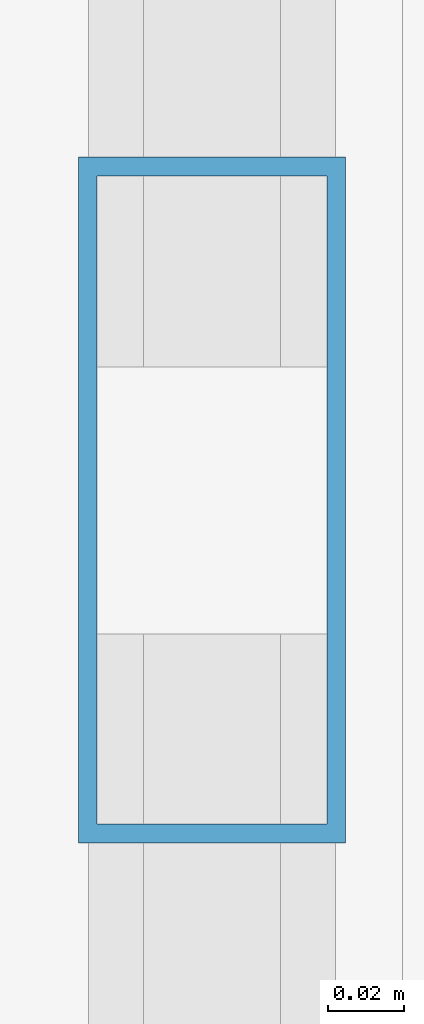
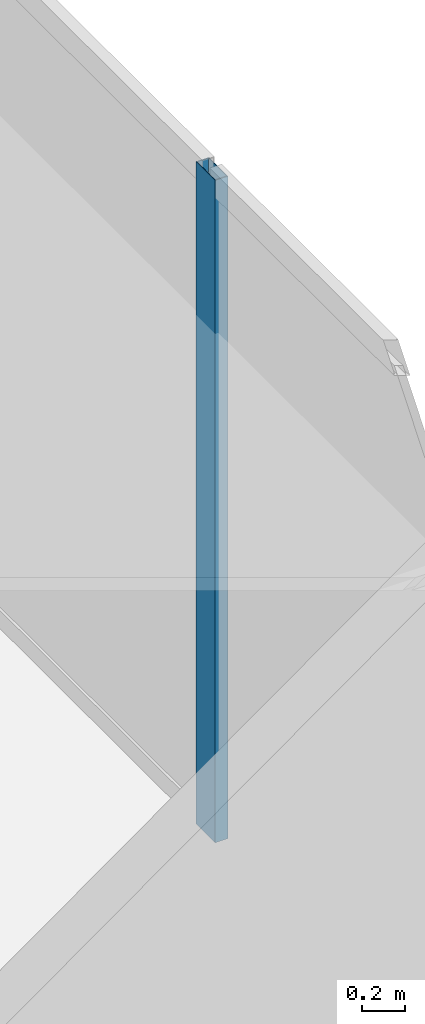
# One storey, part 24 of 36: 1 member, 1 element without a shape of its own.
"""IFC4 building model written with IfcOpenShell, lengths in metres."""

from ifc_helpers import new_model, si_unit, direction, frame, origin, origin_2d, place, context, subcontext, project, spatial, hollow_rectangle, extrude, source, transform, mapped, material, layer, layer_set, material_profile, profile_set, type_object, type_shapes, element, aggregate, save


model = new_model("IFC4")

# Units and contexts
model_context = context("Model", 3, precision=1e-05, world=origin(), true_north=direction((0.0, 1.0)))
body_context = subcontext(model_context, "Body", "Model", "MODEL_VIEW")
ifc_project = project(units=[si_unit("LENGTHUNIT", "METRE"), si_unit("AREAUNIT", "SQUARE_METRE"), si_unit("VOLUMEUNIT", "CUBIC_METRE"), si_unit("PLANEANGLEUNIT", "RADIAN"), si_unit("MASSUNIT", "GRAM", prefix="KILO")], contexts=[model_context])

# Site, building, storey
site_placement = place(None, origin())
site = spatial("IfcSite", under=ifc_project, at=site_placement, CompositionType="ELEMENT")
building_placement = place(site_placement, origin())
building = spatial("IfcBuilding", under=site, at=building_placement, Name="Haelvirn Gate Laboratories", CompositionType="ELEMENT")
storey_placement = place(building_placement, frame((0.0, 0.0, 262.89990234375)))
storey = spatial("IfcBuildingStorey", under=building, at=storey_placement, Name="L63", CompositionType="ELEMENT", Elevation=262.89990234375)

# Curtain wall, member
ifc_material_1 = material(Name="Anodised bronze unitised aluminium & triple low-E glass", Category="aluminium")
ifc_layer = layer(ifc_material_1, 0.176025390625, Name="CW-SYS-4")
ifc_layer_set = layer_set([ifc_layer], Name="Anodised bronze unitised aluminium & triple low-E glass")
curtain_wall_type = type_object("IfcCurtainWallType", Name="CW-SYS-4", PredefinedType="NOTDEFINED", material=ifc_layer_set)
curtain_wall_placement = place(storey_placement, origin())
curtain_wall = element("IfcCurtainWall", 1, at=curtain_wall_placement, inside=storey, type_object=curtain_wall_type, Name="L63 Unitised Curtain Wall CW-L63-P0-E07", PredefinedType="NOTDEFINED")
ifc_material_2 = material(Name="Extruded aluminium 6063-T6 (anodised bronze)", Category="aluminium")
ifc_material_profile = material_profile(ifc_material_2, hollow_rectangle(XDim=0.070068359375, YDim=0.179931640625, WallThickness=0.0048828125, at=origin_2d()), Name="CWM-180x70x5")
ifc_profile_set = profile_set([ifc_material_profile], Name="Extruded aluminium 6063-T6 (anodised bronze)")
member_type = type_object("IfcMemberType", Name="CWM-T180", PredefinedType="MULLION", material=ifc_profile_set)
shared_shape = source(origin(), body_context, "Body", "SweptSolid", [
    extrude(hollow_rectangle(XDim=0.070068359375, YDim=0.179931640625, WallThickness=0.0048828125, at=origin_2d()), origin(), (0.0, 0.0, 1.0), 3.800048828125),
])
type_shapes(member_type, [shared_shape])
member_placement = place(storey_placement, frame((70.699951171875, 24.300048828125, 0.0), z_axis=(0.0, 0.0, 1.0), x_axis=(-1.0, 0.0, 0.0)))
member = element("IfcMember", 2, at=member_placement, type_object=member_type, Name="CW4 mullion 2", PredefinedType="MULLION", context=body_context, shape_type="MappedRepresentation", body=[
    mapped(shared_shape, transform((0.0, 0.0, 0.0), scale=1.0)),
])
aggregate(curtain_wall, [member])

save(model, "model.ifc")
